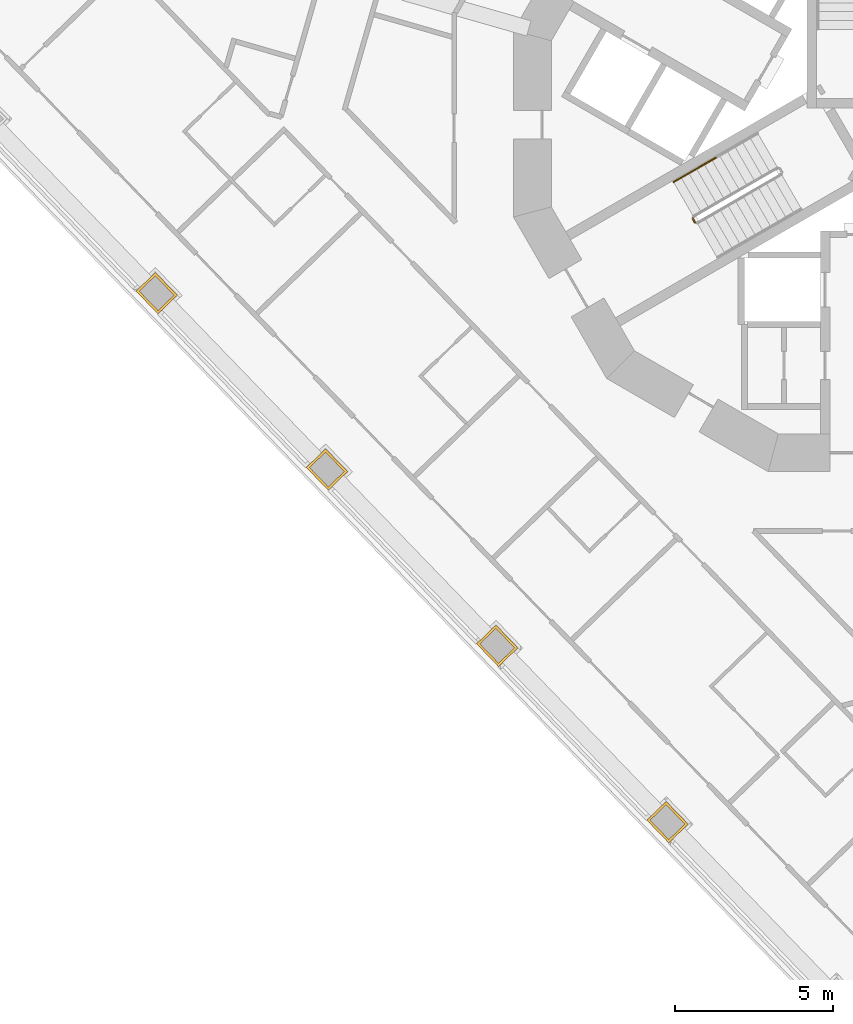
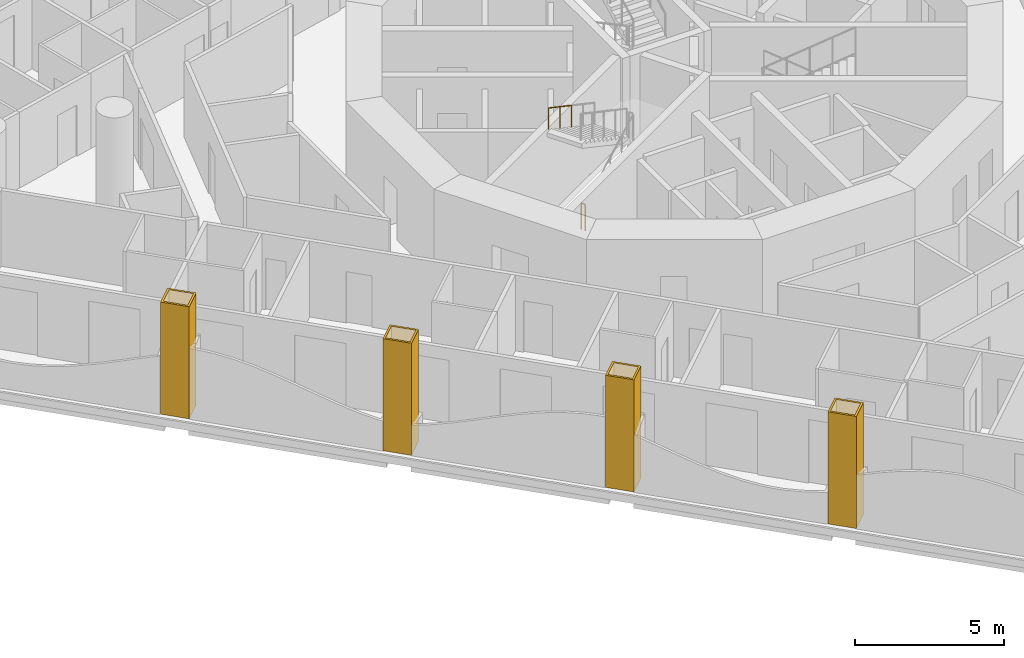
# One storey, part 13 of 20: 4 coverings, 2 railings.
"""IFC4 building model written with IfcOpenShell, lengths in metres."""

from ifc_helpers import new_model, si_unit, direction, frame, origin, origin_2d, place, context, subcontext, project, spatial, polyline, circle, outline, extrude, material, layer, layer_set, type_object, element, save


model = new_model("IFC4")

# Units and contexts
model_context = context("Model", 3, precision=1e-05, world=origin(), true_north=direction((0.0, 1.0)))
body_context = subcontext(model_context, "Body", "Model", "MODEL_VIEW")
ifc_project = project(units=[si_unit("LENGTHUNIT", "METRE"), si_unit("AREAUNIT", "SQUARE_METRE"), si_unit("VOLUMEUNIT", "CUBIC_METRE"), si_unit("PLANEANGLEUNIT", "RADIAN"), si_unit("MASSUNIT", "GRAM", prefix="KILO")], contexts=[model_context])

# Site, building, storey
site_placement = place(None, origin())
site = spatial("IfcSite", under=ifc_project, at=site_placement, CompositionType="ELEMENT")
building_placement = place(site_placement, origin())
building = spatial("IfcBuilding", under=site, at=building_placement, Name="Trine Commons Tower", CompositionType="ELEMENT")
storey_placement = place(building_placement, frame((0.0, 0.0, 116.10009765625)))
storey = spatial("IfcBuildingStorey", under=building, at=storey_placement, Name="L29", CompositionType="ELEMENT", Elevation=116.10009765625)

# Coverings
ifc_material_1 = material(Name="Limestone, honed", Category="masonry")
ifc_layer = layer(ifc_material_1, 0.074951171875)
ifc_layer_set = layer_set([ifc_layer], Name="Limestone, honed")
covering_type = type_object("IfcCoveringType", Name="Limestone column cladding 75", PredefinedType="CLADDING", material=ifc_layer_set)
covering_1_placement = place(storey_placement, origin())
element("IfcCovering", 1, at=covering_1_placement, inside=storey, type_object=covering_type, Name="Limestone pier cladding 3-03", PredefinedType="CLADDING", context=body_context, shape_type="SweptSolid", body=[
    extrude(outline(polyline([(73.8212890625, 41.0517578125), (73.209716796875, 40.461181640625), (73.904296875, 39.741943359375), (74.515869140625, 40.33251953125), (73.8212890625, 41.0517578125)]), holes=[polyline([(73.8193359375, 40.945556640625), (73.31591796875, 40.45947265625), (73.90625, 39.847900390625), (74.409912109375, 40.334228515625), (73.8193359375, 40.945556640625)])]), origin(), (0.0, 0.0, 1.0), 4.58740234375),
])
covering_2_placement = place(storey_placement, origin())
element("IfcCovering", 2, at=covering_2_placement, inside=storey, type_object=covering_type, Name="Limestone pier cladding 3-04", PredefinedType="CLADDING", context=body_context, shape_type="SweptSolid", body=[
    extrude(outline(polyline([(68.432373046875, 46.632080078125), (67.82080078125, 46.04150390625), (68.515380859375, 45.322265625), (69.126953125, 45.912841796875), (68.432373046875, 46.632080078125)]), holes=[polyline([(68.430419921875, 46.52587890625), (67.927001953125, 46.039794921875), (68.517333984375, 45.428466796875), (69.02099609375, 45.91455078125), (68.430419921875, 46.52587890625)])]), origin(), (0.0, 0.0, 1.0), 4.58740234375),
])
covering_3_placement = place(storey_placement, origin())
element("IfcCovering", 3, at=covering_3_placement, inside=storey, type_object=covering_type, Name="Limestone pier cladding 3-05", PredefinedType="CLADDING", context=body_context, shape_type="SweptSolid", body=[
    extrude(outline(polyline([(63.04345703125, 52.21240234375), (62.431884765625, 51.6220703125), (63.126708984375, 50.902587890625), (63.738037109375, 51.4931640625), (63.04345703125, 52.21240234375)]), holes=[polyline([(63.04150390625, 52.1064453125), (62.5380859375, 51.6201171875), (63.12841796875, 51.0087890625), (63.632080078125, 51.4951171875), (63.04150390625, 52.1064453125)])]), origin(), (0.0, 0.0, 1.0), 4.58740234375),
])
covering_4_placement = place(storey_placement, origin())
element("IfcCovering", 4, at=covering_4_placement, inside=storey, type_object=covering_type, Name="Limestone pier cladding 3-06", PredefinedType="CLADDING", context=body_context, shape_type="SweptSolid", body=[
    extrude(outline(polyline([(57.654296875, 57.792724609375), (57.04296875, 57.202392578125), (57.737548828125, 56.48291015625), (58.34912109375, 57.073486328125), (57.654296875, 57.792724609375)]), holes=[polyline([(57.652587890625, 57.686767578125), (57.14892578125, 57.200439453125), (57.739501953125, 56.589111328125), (58.242919921875, 57.0751953125), (57.652587890625, 57.686767578125)])]), origin(), (0.0, 0.0, 1.0), 4.58740234375),
])

# Railings
ifc_material_2 = material(Name="Stainless steel balustrade", Category="steel")
railing_type_1 = type_object("IfcRailingType", Name="Stair guard, steel balustrade 1100", PredefinedType="GUARDRAIL", material=ifc_material_2)
railing_1_placement = place(storey_placement, frame((74.73681640625, 59.374755859375, 0.0)))
element("IfcRailing", 5, at=railing_1_placement, inside=storey, type_object=railing_type_1, Name="L29 ST2A stair guard 4", PredefinedType="GUARDRAIL", context=body_context, shape_type="SweptSolid", body=[
    extrude(circle(Radius=0.02392578125, at=origin_2d()), frame((0.0, 0.0, 1.076171875), z_axis=(-0.499816412211, 0.866131372301, 0.0), x_axis=(-0.866131372301, -0.499816412211, 0.0)), (0.0, 0.0, 1.0), 0.14990234375),
    extrude(circle(Radius=0.02099609375, at=origin_2d()), origin(), (0.0, 0.0, 1.0), 1.052001953125),
    extrude(circle(Radius=0.02099609375, at=origin_2d()), frame((-0.074951171875, 0.1298828125, 0.0)), (0.0, 0.0, 1.0), 1.052001953125),
])
ifc_material_3 = material(Name="Stainless steel handrail", Category="steel")
railing_type_2 = type_object("IfcRailingType", Name="Stair handrail, steel 900", PredefinedType="HANDRAIL", material=ifc_material_3)
railing_2_placement = place(storey_placement, frame((75.388916015625, 61.425537109375, 2.77490234375)))
element("IfcRailing", 6, at=railing_2_placement, inside=storey, type_object=railing_type_2, Name="L29 ST2A stair handrail 4", PredefinedType="HANDRAIL", context=body_context, shape_type="SweptSolid", body=[
    extrude(circle(Radius=0.02099609375, at=origin_2d()), frame((0.0, 0.0, 0.87890625), z_axis=(-0.76340495495, -0.440743040072, 0.472184759798), x_axis=(0.499992328818, -0.866029832698, 0.0)), (0.0, 0.0, 1.0), 1.7470703125),
    extrude(circle(Radius=0.01513671875, at=origin_2d()), origin(), (0.0, 0.0, 1.0), 0.85791015625),
    extrude(circle(Radius=0.01513671875, at=origin_2d()), frame((-0.6669921875, -0.385009765625, 0.41259765625)), (0.0, 0.0, 1.0), 0.85791015625),
    extrude(circle(Radius=0.01513671875, at=origin_2d()), frame((-1.333740234375, -0.77001953125, 0.824951171875)), (0.0, 0.0, 1.0), 0.85791015625),
])

save(model, "model.ifc")
